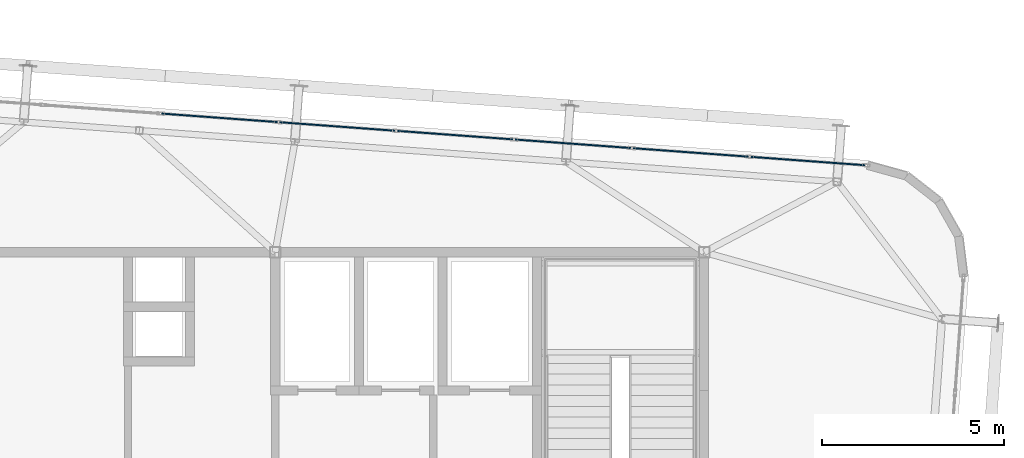
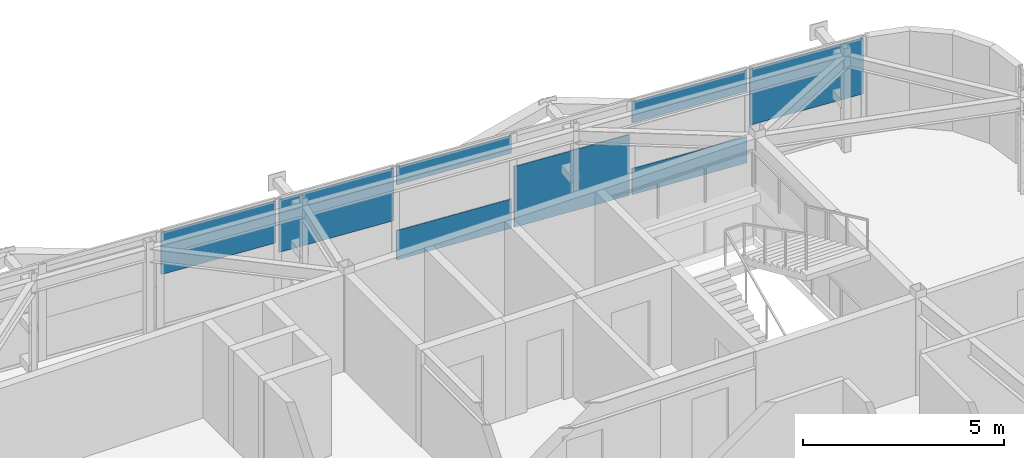
# One storey, part 30 of 42: 8 plates, 1 element without a shape of its own.
"""IFC4 building model written with IfcOpenShell, lengths in metres."""

from ifc_helpers import new_model, si_unit, direction, frame, origin, origin_2d, place, context, subcontext, project, spatial, rectangle, extrude, source, transform, mapped, material, layer, layer_set, type_object, element, aggregate, save


model = new_model("IFC4")

# Units and contexts
model_context = context("Model", 3, precision=1e-05, world=origin(), true_north=direction((0.0, 1.0)))
body_context = subcontext(model_context, "Body", "Model", "MODEL_VIEW")
ifc_project = project(units=[si_unit("LENGTHUNIT", "METRE"), si_unit("AREAUNIT", "SQUARE_METRE"), si_unit("VOLUMEUNIT", "CUBIC_METRE"), si_unit("PLANEANGLEUNIT", "RADIAN"), si_unit("MASSUNIT", "GRAM", prefix="KILO")], contexts=[model_context])

# Site, building, storey
site_placement = place(None, origin())
site = spatial("IfcSite", under=ifc_project, at=site_placement, CompositionType="ELEMENT")
building_placement = place(site_placement, origin())
building = spatial("IfcBuilding", under=site, at=building_placement, Name="Taldren Reach Tower", CompositionType="ELEMENT")
storey_placement = place(building_placement, frame((0.0, 0.0, 220.85009765625)))
storey = spatial("IfcBuildingStorey", under=building, at=storey_placement, Name="L67", CompositionType="ELEMENT", Elevation=220.85009765625)

# Curtain wall, plates
ifc_material_1 = material(Name="Aluminium and Low-E Glass Unitised System", Category="aluminium")
ifc_layer_1 = layer(ifc_material_1, 0.159912109375)
ifc_layer_set_1 = layer_set([ifc_layer_1], Name="Aluminium and Low-E Glass Unitised System")
curtain_wall_type = type_object("IfcCurtainWallType", Name="CW-SYS-6", PredefinedType="NOTDEFINED", material=ifc_layer_set_1)
curtain_wall_placement = place(storey_placement, origin())
curtain_wall = element("IfcCurtainWall", 1, at=curtain_wall_placement, inside=storey, type_object=curtain_wall_type, Name="Unitised curtain wall CW-L67-N", PredefinedType="NOTDEFINED")
ifc_material_2 = material(Name="Acoustic Triple-Laminated IGU", Category="glass")
ifc_layer_2 = layer(ifc_material_2, 0.035888671875)
ifc_layer_set_2 = layer_set([ifc_layer_2], Name="Acoustic Triple-Laminated IGU")
plate_type = type_object("IfcPlateType", Name="CW-PNL-IGU36", PredefinedType="CURTAIN_PANEL", material=ifc_layer_set_2)
shared_shape_1 = source(origin(), body_context, "Body", "SweptSolid", [
    extrude(rectangle(XDim=3.175048828125, YDim=0.035888671875, at=origin_2d()), origin(), (0.0, 0.0, 1.0), 1.271240234375),
])
plate_1_placement = place(storey_placement, frame((37.66748046875, 35.698974609375, 1.5986328125), z_axis=(0.0, 0.0, 1.0), x_axis=(-0.997314476006, 0.073238213716, 0.0)))
plate_1 = element("IfcPlate", 2, at=plate_1_placement, type_object=plate_type, Name="CW-6 panel 6.1 part 1", PredefinedType="CURTAIN_PANEL", context=body_context, shape_type="MappedRepresentation", body=[
    mapped(shared_shape_1, transform((0.0, 0.0, 0.0), scale=1.0)),
])
shared_shape_2 = source(origin(), body_context, "Body", "SweptSolid", [
    extrude(rectangle(XDim=3.175048828125, YDim=0.035888671875, at=origin_2d()), origin(), (0.0, 0.0, 1.0), 1.589599609375),
])
plate_2_placement = place(storey_placement, frame((40.908935546875, 35.4609375, 1.2802734375), z_axis=(0.0, 0.0, 1.0), x_axis=(-0.997314476006, 0.073238213716, 0.0)))
plate_2 = element("IfcPlate", 3, at=plate_2_placement, type_object=plate_type, Name="CW-6 panel 5.1 part 1", PredefinedType="CURTAIN_PANEL", context=body_context, shape_type="MappedRepresentation", body=[
    mapped(shared_shape_2, transform((0.0, 0.0, 0.0), scale=1.0)),
])
shared_shape_3 = source(origin(), body_context, "Body", "SweptSolid", [
    extrude(rectangle(XDim=3.175048828125, YDim=0.035888671875, at=origin_2d()), origin(), (0.0, 0.0, 1.0), 0.89306640625),
])
plate_3_placement = place(storey_placement, frame((44.150146484375, 35.222900390625, 0.059814453125), z_axis=(0.0, 0.0, 1.0), x_axis=(-0.997314476006, 0.073238213716, 0.0)))
plate_3 = element("IfcPlate", 4, at=plate_3_placement, type_object=plate_type, Name="CW-6 panel 4.1 part 1", PredefinedType="CURTAIN_PANEL", context=body_context, shape_type="MappedRepresentation", body=[
    mapped(shared_shape_3, transform((0.0, 0.0, 0.0), scale=1.0)),
])
shared_shape_4 = source(origin(), body_context, "Body", "SweptSolid", [
    extrude(rectangle(XDim=3.175048828125, YDim=0.035888671875, at=origin_2d()), origin(), (0.0, 0.0, 1.0), 0.533935546875),
])
plate_4_placement = place(storey_placement, frame((44.150146484375, 35.222900390625, 2.3359375), z_axis=(0.0, 0.0, 1.0), x_axis=(-0.997314476006, 0.073238213716, 0.0)))
plate_4 = element("IfcPlate", 5, at=plate_4_placement, type_object=plate_type, Name="CW-6 panel 4.1 part 2", PredefinedType="CURTAIN_PANEL", context=body_context, shape_type="MappedRepresentation", body=[
    mapped(shared_shape_4, transform((0.0, 0.0, 0.0), scale=1.0)),
])
shared_shape_5 = source(origin(), body_context, "Body", "SweptSolid", [
    extrude(rectangle(XDim=3.175048828125, YDim=0.035888671875, at=origin_2d()), origin(), (0.0, 0.0, 1.0), 1.84814453125),
])
plate_5_placement = place(storey_placement, frame((47.391357421875, 34.98486328125, 0.059814453125), z_axis=(0.0, 0.0, 1.0), x_axis=(-0.997314476006, 0.073238213716, 0.0)))
plate_5 = element("IfcPlate", 6, at=plate_5_placement, type_object=plate_type, Name="CW-6 panel 3.1 part 1", PredefinedType="CURTAIN_PANEL", context=body_context, shape_type="MappedRepresentation", body=[
    mapped(shared_shape_5, transform((0.0, 0.0, 0.0), scale=1.0)),
])
shared_shape_6 = source(origin(), body_context, "Body", "SweptSolid", [
    extrude(rectangle(XDim=3.175048828125, YDim=0.035888671875, at=origin_2d()), origin(), (0.0, 0.0, 1.0), 0.792236328125),
])
plate_6_placement = place(storey_placement, frame((50.632568359375, 34.746826171875, 0.06005859375), z_axis=(0.0, 0.0, 1.0), x_axis=(-0.997314476006, 0.073238213716, 0.0)))
plate_6 = element("IfcPlate", 7, at=plate_6_placement, type_object=plate_type, Name="CW-6 panel 2.1 part 1", PredefinedType="CURTAIN_PANEL", context=body_context, shape_type="MappedRepresentation", body=[
    mapped(shared_shape_6, transform((0.0, 0.0, 0.0), scale=1.0)),
])
shared_shape_7 = source(origin(), body_context, "Body", "SweptSolid", [
    extrude(rectangle(XDim=3.175048828125, YDim=0.035888671875, at=origin_2d()), origin(), (0.0, 0.0, 1.0), 0.634521484375),
])
plate_7_placement = place(storey_placement, frame((50.632568359375, 34.746826171875, 2.2353515625), z_axis=(0.0, 0.0, 1.0), x_axis=(-0.997314476006, 0.073238213716, 0.0)))
plate_7 = element("IfcPlate", 8, at=plate_7_placement, type_object=plate_type, Name="CW-6 panel 2.1 part 2", PredefinedType="CURTAIN_PANEL", context=body_context, shape_type="MappedRepresentation", body=[
    mapped(shared_shape_7, transform((0.0, 0.0, 0.0), scale=1.0)),
])
shared_shape_8 = source(origin(), body_context, "Body", "SweptSolid", [
    extrude(rectangle(XDim=3.137451171875, YDim=0.035888671875, at=origin_2d()), origin(), (0.0, 0.0, 1.0), 1.6904296875),
])
plate_8_placement = place(storey_placement, frame((53.855224609375, 34.51025390625, 1.179443359375), z_axis=(0.0, 0.0, 1.0), x_axis=(-0.997314476006, 0.073238213716, 0.0)))
plate_8 = element("IfcPlate", 9, at=plate_8_placement, type_object=plate_type, Name="CW-6 panel 1.1 part 1", PredefinedType="CURTAIN_PANEL", context=body_context, shape_type="MappedRepresentation", body=[
    mapped(shared_shape_8, transform((0.0, 0.0, 0.0), scale=1.0)),
])
aggregate(curtain_wall, [plate_8, plate_6, plate_7, plate_5, plate_3, plate_4, plate_2, plate_1])

save(model, "model.ifc")
